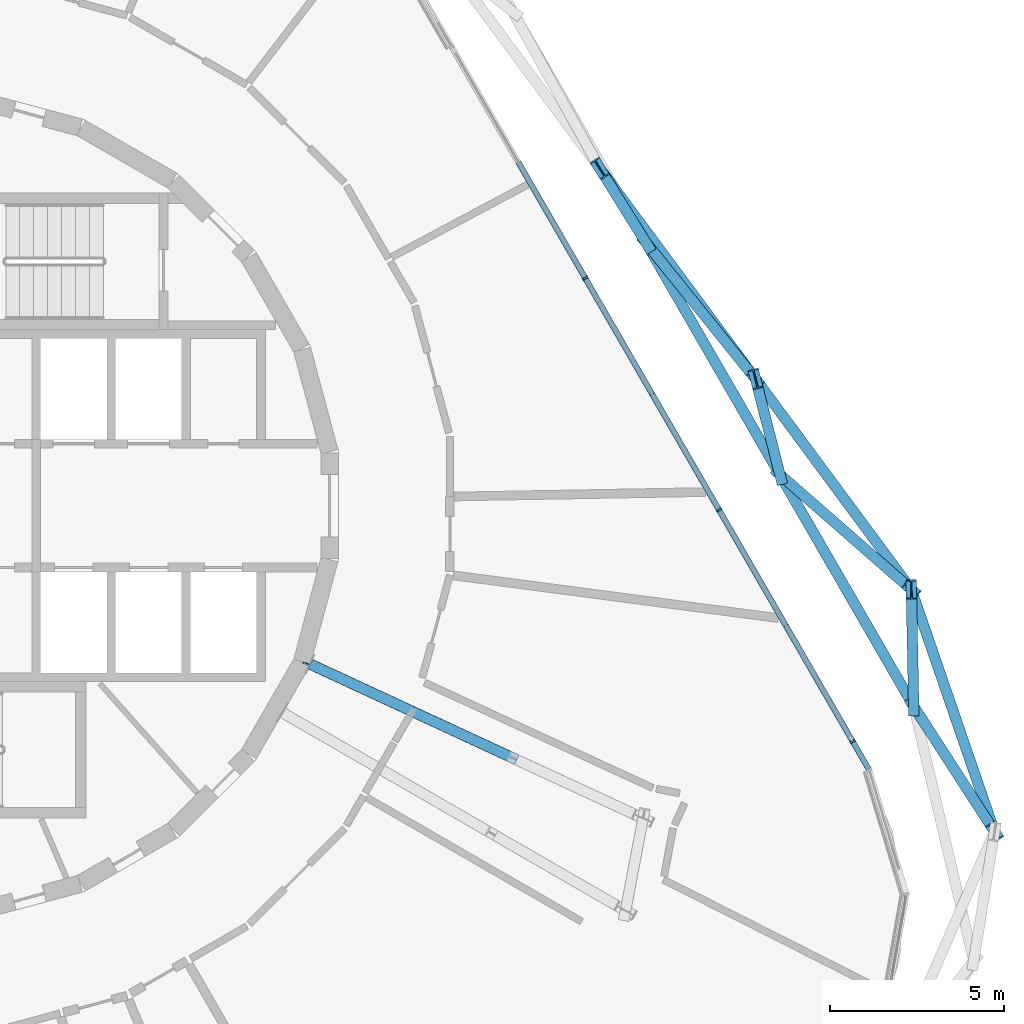
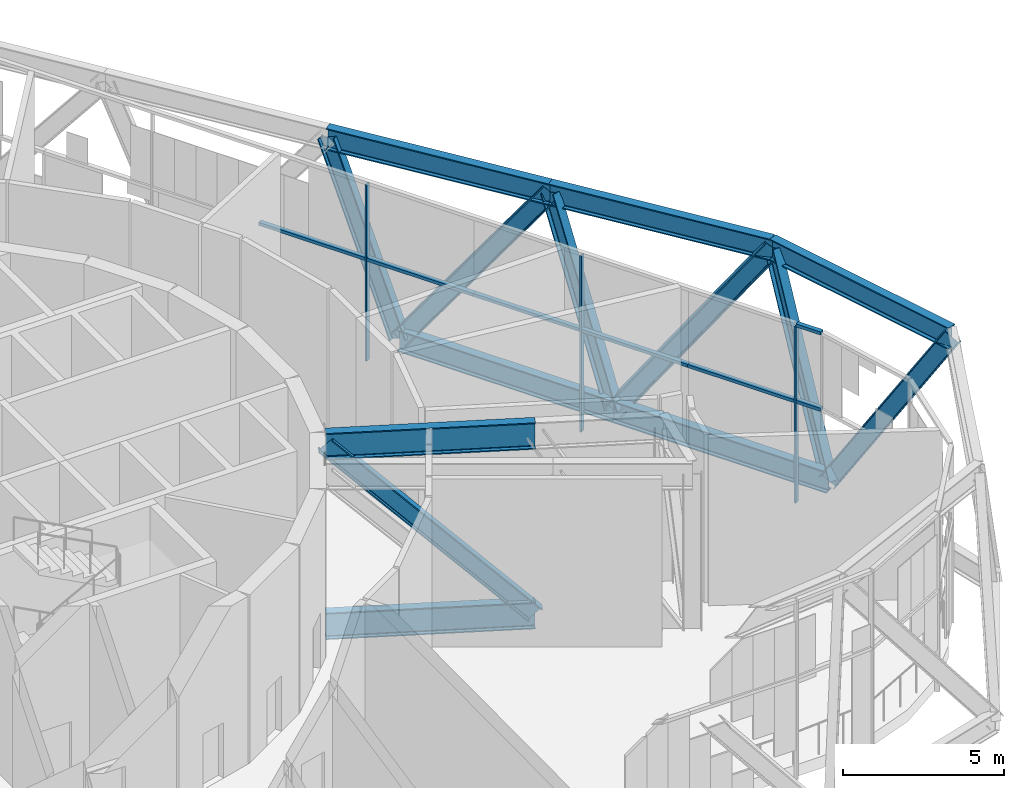
# One storey, part 6 of 29: 24 members, 2 elements without a shape of their own.
"""IFC4 building model written with IfcOpenShell, lengths in metres."""

from ifc_helpers import new_model, si_unit, direction, frame, origin, origin_2d, place, context, subcontext, project, spatial, rectangle, i_section, extrude, material, layer, layer_set, material_profile, profile_set, type_object, element, aggregate, save


model = new_model("IFC4")

# Units and contexts
model_context = context("Model", 3, precision=1e-05, world=origin(), true_north=direction((0.0, 1.0)))
body_context = subcontext(model_context, "Body", "Model", "MODEL_VIEW")
ifc_project = project(units=[si_unit("LENGTHUNIT", "METRE"), si_unit("AREAUNIT", "SQUARE_METRE"), si_unit("VOLUMEUNIT", "CUBIC_METRE"), si_unit("PLANEANGLEUNIT", "RADIAN"), si_unit("MASSUNIT", "GRAM", prefix="KILO")], contexts=[model_context])

# Site, building, storey
site_placement = place(None, origin())
site = spatial("IfcSite", under=ifc_project, at=site_placement, CompositionType="ELEMENT")
building_placement = place(site_placement, origin())
building = spatial("IfcBuilding", under=site, at=building_placement, Name="Spindle Arch Residences", CompositionType="ELEMENT")
storey_placement = place(building_placement, frame((0.0, 0.0, 69.89990234375)))
storey = spatial("IfcBuildingStorey", under=building, at=storey_placement, Name="L16", CompositionType="ELEMENT", Elevation=69.89990234375)

# Members
ifc_material_1 = material(Name="Steel S460ML, intumescent coating R 240", Category="steel")
ifc_material_profile_1 = material_profile(ifc_material_1, i_section(OverallWidth=0.302978515625, OverallDepth=0.81396484375, WebThickness=0.02099609375, FlangeThickness=0.0400390625, FilletRadius=0.030029296875, at=origin_2d()), Name="HEM 800")
ifc_profile_set_1 = profile_set([ifc_material_profile_1], Name="Steel S460ML, intumescent coating R 240")
member_type_1 = type_object("IfcMemberType", Name="Belt truss chord HEM 800", PredefinedType="CHORD", material=ifc_profile_set_1)
member_1_placement = place(storey_placement, frame((28.418701171875, -5.762939453125, -0.85693359375), z_axis=(-0.500005879718, 0.866022009101, 0.0), x_axis=(-0.866022009101, -0.500005879718, 0.0)))
element("IfcMember", 1, at=member_1_placement, inside=storey, type_object=member_type_1, Name="Belt truss bottom chord L16.6", PredefinedType="CHORD", context=body_context, shape_type="SweptSolid", body=[
    extrude(i_section(OverallWidth=0.302978515625, OverallDepth=0.81396484375, WebThickness=0.02099609375, FlangeThickness=0.0400390625, FilletRadius=0.030029296875, at=origin_2d()), origin(), (0.0, 0.0, 1.0), 7.68017578125),
])
member_2_placement = place(storey_placement, frame((24.57861328125, 0.88818359375, -0.85693359375), z_axis=(-0.499982037744, 0.86603577405, 0.0), x_axis=(-0.86603577405, -0.499982037744, 0.0)))
element("IfcMember", 2, at=member_2_placement, inside=storey, type_object=member_type_1, Name="Belt truss bottom chord L16.7", PredefinedType="CHORD", context=body_context, shape_type="SweptSolid", body=[
    extrude(i_section(OverallWidth=0.302978515625, OverallDepth=0.81396484375, WebThickness=0.02099609375, FlangeThickness=0.0400390625, FilletRadius=0.030029296875, at=origin_2d()), origin(), (0.0, 0.0, 1.0), 7.679931640625),
])
member_3_placement = place(storey_placement, frame((30.740478515625, -9.36083984375, 5.943115234375), z_axis=(-0.325137291087, 0.945666823963, 0.0), x_axis=(-0.945666823963, -0.325137291087, 0.0)))
element("IfcMember", 3, at=member_3_placement, inside=storey, type_object=member_type_1, Name="Belt truss top chord L16.5", PredefinedType="CHORD", context=body_context, shape_type="SweptSolid", body=[
    extrude(i_section(OverallWidth=0.302978515625, OverallDepth=0.81396484375, WebThickness=0.02099609375, FlangeThickness=0.0400390625, FilletRadius=0.030029296875, at=origin_2d()), origin(), (0.0, 0.0, 1.0), 7.354248046875),
])
member_4_placement = place(storey_placement, frame((28.349365234375, -2.40625, 5.943115234375), z_axis=(-0.594818247684, 0.80386021933, 0.0), x_axis=(-0.80386021933, -0.594818247684, 0.0)))
element("IfcMember", 4, at=member_4_placement, inside=storey, type_object=member_type_1, Name="Belt truss top chord L16.6", PredefinedType="CHORD", context=body_context, shape_type="SweptSolid", body=[
    extrude(i_section(OverallWidth=0.302978515625, OverallDepth=0.81396484375, WebThickness=0.02099609375, FlangeThickness=0.0400390625, FilletRadius=0.030029296875, at=origin_2d()), origin(), (0.0, 0.0, 1.0), 7.51904296875),
])
member_5_placement = place(storey_placement, frame((23.876953125, 3.637939453125, 5.943115234375), z_axis=(-0.594833773541, 0.803848730704, 0.0), x_axis=(-0.803848730704, -0.594833773541, 0.0)))
element("IfcMember", 5, at=member_5_placement, inside=storey, type_object=member_type_1, Name="Belt truss top chord L16.7", PredefinedType="CHORD", context=body_context, shape_type="SweptSolid", body=[
    extrude(i_section(OverallWidth=0.302978515625, OverallDepth=0.81396484375, WebThickness=0.02099609375, FlangeThickness=0.0400390625, FilletRadius=0.030029296875, at=origin_2d()), origin(), (0.0, 0.0, 1.0), 7.518798828125),
])
ifc_material_2 = material(Name="Steel S460ML, intumescent coating R 240", Category="steel")
ifc_material_profile_2 = material_profile(ifc_material_2, i_section(OverallWidth=0.304931640625, OverallDepth=0.6201171875, WebThickness=0.02099609375, FlangeThickness=0.0400390625, FilletRadius=0.027099609375, at=origin_2d()), Name="HEM 600")
ifc_profile_set_2 = profile_set([ifc_material_profile_2], Name="Steel S460ML, intumescent coating R 240")
member_type_2 = type_object("IfcMemberType", Name="Belt truss diagonal HEM 600", PredefinedType="BRACE", material=ifc_profile_set_2)
member_6_placement = place(storey_placement, frame((28.418701171875, -5.762939453125, -0.85693359375), z_axis=(0.288924467742, -0.447726591074, 0.846205383808), x_axis=(0.840237993965, 0.542217773129, 0.0)))
element("IfcMember", 6, at=member_6_placement, inside=storey, type_object=member_type_2, Name="Belt truss diagonal L16.5.6", PredefinedType="BRACE", context=body_context, shape_type="SweptSolid", body=[
    extrude(i_section(OverallWidth=0.304931640625, OverallDepth=0.6201171875, WebThickness=0.02099609375, FlangeThickness=0.0400390625, FilletRadius=0.027099609375, at=origin_2d()), origin(), (0.0, 0.0, 1.0), 8.035888671875),
])
member_7_placement = place(storey_placement, frame((28.418701171875, -5.762939453125, -0.85693359375), z_axis=(-0.009142732258, 0.442617696508, 0.896663808339), x_axis=(-0.999786732091, -0.02065164244, 0.0)))
element("IfcMember", 7, at=member_7_placement, inside=storey, type_object=member_type_2, Name="Belt truss diagonal L16.6.6", PredefinedType="BRACE", context=body_context, shape_type="SweptSolid", body=[
    extrude(i_section(OverallWidth=0.304931640625, OverallDepth=0.6201171875, WebThickness=0.02099609375, FlangeThickness=0.0400390625, FilletRadius=0.027099609375, at=origin_2d()), origin(), (0.0, 0.0, 1.0), 7.583740234375),
])
member_8_placement = place(storey_placement, frame((24.57861328125, 0.88818359375, -0.85693359375), z_axis=(0.446524251751, -0.390119666761, 0.805247004468), x_axis=(0.657941764013, 0.753068811708, 0.0)))
element("IfcMember", 8, at=member_8_placement, inside=storey, type_object=member_type_2, Name="Belt truss diagonal L16.6.7", PredefinedType="BRACE", context=body_context, shape_type="SweptSolid", body=[
    extrude(i_section(OverallWidth=0.304931640625, OverallDepth=0.6201171875, WebThickness=0.02099609375, FlangeThickness=0.0400390625, FilletRadius=0.027099609375, at=origin_2d()), origin(), (0.0, 0.0, 1.0), 8.444580078125),
])
member_9_placement = place(storey_placement, frame((24.57861328125, 0.88818359375, -0.85693359375), z_axis=(-0.095224851334, 0.373179366936, 0.92285935428), x_axis=(-0.968951923092, -0.247249207757, 0.0)))
element("IfcMember", 9, at=member_9_placement, inside=storey, type_object=member_type_2, Name="Belt truss diagonal L16.7.7", PredefinedType="BRACE", context=body_context, shape_type="SweptSolid", body=[
    extrude(i_section(OverallWidth=0.304931640625, OverallDepth=0.6201171875, WebThickness=0.02099609375, FlangeThickness=0.0400390625, FilletRadius=0.027099609375, at=origin_2d()), origin(), (0.0, 0.0, 1.0), 7.368408203125),
])
member_10_placement = place(storey_placement, frame((20.73876953125, 7.539306640625, -0.85693359375), z_axis=(0.371624700295, -0.462001144446, 0.805263947201), x_axis=(0.779201025545, 0.626774091511, 0.0)))
element("IfcMember", 10, at=member_10_placement, inside=storey, type_object=member_type_2, Name="Belt truss diagonal L16.7.8", PredefinedType="BRACE", context=body_context, shape_type="SweptSolid", body=[
    extrude(i_section(OverallWidth=0.304931640625, OverallDepth=0.6201171875, WebThickness=0.02099609375, FlangeThickness=0.0400390625, FilletRadius=0.027099609375, at=origin_2d()), origin(), (0.0, 0.0, 1.0), 8.444580078125),
])
member_11_placement = place(storey_placement, frame((20.73876953125, 7.539306640625, -0.85693359375), z_axis=(-0.18394585108, 0.295390446309, 0.937501150986), x_axis=(-0.848866609371, -0.528607112604, 0.0)))
element("IfcMember", 11, at=member_11_placement, inside=storey, type_object=member_type_2, Name="Belt truss diagonal L16.8.8", PredefinedType="BRACE", context=body_context, shape_type="SweptSolid", body=[
    extrude(i_section(OverallWidth=0.304931640625, OverallDepth=0.6201171875, WebThickness=0.02099609375, FlangeThickness=0.0400390625, FilletRadius=0.027099609375, at=origin_2d()), origin(), (0.0, 0.0, 1.0), 7.25341796875),
])

# Curtain wall, members
ifc_material_3 = material(Name="Aluminium bronze unitised frame with tinted glass", Category="aluminium")
ifc_layer = layer(ifc_material_3, 0.159912109375)
ifc_layer_set = layer_set([ifc_layer], Name="CW-E double-height winter garden wall")
curtain_wall_type = type_object("IfcCurtainWallType", Name="CW-E double-height winter garden wall", PredefinedType="NOTDEFINED", material=ifc_layer_set)
curtain_wall_1_placement = place(storey_placement, origin())
curtain_wall_1 = element("IfcCurtainWall", 12, at=curtain_wall_1_placement, inside=storey, type_object=curtain_wall_type, Name="CW-E L16 run 2", PredefinedType="NOTDEFINED")
ifc_material_4 = material(Name="Aluminium bronze anodised mullion", Category="aluminium")
ifc_material_profile_3 = material_profile(ifc_material_4, rectangle(XDim=0.159912109375, YDim=0.06005859375, at=origin_2d()), Name="MU 60x160")
ifc_profile_set_3 = profile_set([ifc_material_profile_3], Name="Aluminium bronze anodised mullion")
member_type_3 = type_object("IfcMemberType", Name="Bronze mullion 60x160", PredefinedType="MULLION", material=ifc_profile_set_3)
member_12_placement = place(storey_placement, frame((26.66943359375, -6.77294921875, -0.449951171875), z_axis=(0.0, 0.0, 1.0), x_axis=(-0.866025403784, -0.5, 0.0)))
member_12 = element("IfcMember", 13, at=member_12_placement, type_object=member_type_3, Name="CW-E mullion 05", PredefinedType="MULLION", context=body_context, shape_type="SweptSolid", body=[
    extrude(rectangle(XDim=0.159912109375, YDim=0.06005859375, at=origin_2d()), origin(), (0.0, 0.0, 1.0), 6.679931640625),
])
member_13_placement = place(storey_placement, frame((22.829345703125, -0.121826171875, -0.449951171875), z_axis=(0.0, 0.0, 1.0), x_axis=(-0.866025403784, -0.5, 0.0)))
member_13 = element("IfcMember", 14, at=member_13_placement, type_object=member_type_3, Name="CW-E mullion 06", PredefinedType="MULLION", context=body_context, shape_type="SweptSolid", body=[
    extrude(rectangle(XDim=0.159912109375, YDim=0.06005859375, at=origin_2d()), origin(), (0.0, 0.0, 1.0), 6.679931640625),
])
member_14_placement = place(storey_placement, frame((18.9892578125, 6.529296875, -0.449951171875), z_axis=(0.0, 0.0, 1.0), x_axis=(-0.866025403784, -0.5, 0.0)))
member_14 = element("IfcMember", 15, at=member_14_placement, type_object=member_type_3, Name="CW-E mullion 07", PredefinedType="MULLION", context=body_context, shape_type="SweptSolid", body=[
    extrude(rectangle(XDim=0.159912109375, YDim=0.06005859375, at=origin_2d()), origin(), (0.0, 0.0, 1.0), 6.679931640625),
])

curtain_wall_2_placement = place(storey_placement, origin())
curtain_wall_2 = element("IfcCurtainWall", 16, at=curtain_wall_2_placement, inside=storey, type_object=curtain_wall_type, Name="CW-E L16 run 1", PredefinedType="NOTDEFINED")
ifc_material_5 = material(Name="Aluminium bronze anodised transom", Category="aluminium")
ifc_material_profile_4 = material_profile(ifc_material_5, rectangle(XDim=0.159912109375, YDim=0.1201171875, at=origin_2d()), Name="TR 120x160")
ifc_profile_set_4 = profile_set([ifc_material_profile_4], Name="Aluminium bronze anodised transom")
member_type_4 = type_object("IfcMemberType", Name="Bronze transom 120x160", PredefinedType="USERDEFINED", material=ifc_profile_set_4)
member_15_placement = place(storey_placement, frame((27.1259765625, -7.56396484375, 6.2900390625), z_axis=(-0.499913830031, 0.866075148324, 0.0), x_axis=(-0.866075148324, -0.499913830031, 0.0)))
member_15 = element("IfcMember", 17, at=member_15_placement, type_object=member_type_4, Name="CW-E transom 05", ObjectType="TRANSOM", PredefinedType="USERDEFINED", context=body_context, shape_type="SweptSolid", body=[
    extrude(rectangle(XDim=0.159912109375, YDim=0.1201171875, at=origin_2d()), origin(), (0.0, 0.0, 1.0), 0.883544921875),
])
member_16_placement = place(storey_placement, frame((27.1259765625, -7.56396484375, 3.400146484375), z_axis=(-0.499913830031, 0.866075148324, 0.0), x_axis=(-0.866075148324, -0.499913830031, 0.0)))
member_16 = element("IfcMember", 18, at=member_16_placement, type_object=member_type_4, Name="CW-E transom 05m", ObjectType="TRANSOM", PredefinedType="USERDEFINED", context=body_context, shape_type="SweptSolid", body=[
    extrude(rectangle(XDim=0.159912109375, YDim=0.1201171875, at=origin_2d()), origin(), (0.0, 0.0, 1.0), 0.883544921875),
])
aggregate(curtain_wall_2, [member_15, member_16])

# Member
member_17_placement = place(storey_placement, frame((26.654296875, -6.746826171875, 3.400146484375), z_axis=(-0.500005339912, 0.866022320763, 0.0), x_axis=(-0.866022320763, -0.500005339912, 0.0)))
member_17 = element("IfcMember", 19, at=member_17_placement, type_object=member_type_4, Name="CW-E transom 05Am", ObjectType="TRANSOM", PredefinedType="USERDEFINED", context=body_context, shape_type="SweptSolid", body=[
    extrude(rectangle(XDim=0.159912109375, YDim=0.1201171875, at=origin_2d()), origin(), (0.0, 0.0, 1.0), 3.81005859375),
])

member_18_placement = place(storey_placement, frame((24.749267578125, -3.447265625, 3.400146484375), z_axis=(-0.500005339912, 0.866022320763, 0.0), x_axis=(-0.866022320763, -0.500005339912, 0.0)))
member_18 = element("IfcMember", 20, at=member_18_placement, type_object=member_type_4, Name="CW-E transom 05Bm", ObjectType="TRANSOM", PredefinedType="USERDEFINED", context=body_context, shape_type="SweptSolid", body=[
    extrude(rectangle(XDim=0.159912109375, YDim=0.1201171875, at=origin_2d()), origin(), (0.0, 0.0, 1.0), 3.81005859375),
])

member_19_placement = place(storey_placement, frame((22.814453125, -0.095703125, 3.400146484375), z_axis=(-0.500005339912, 0.866022320763, 0.0), x_axis=(-0.866022320763, -0.500005339912, 0.0)))
member_19 = element("IfcMember", 21, at=member_19_placement, type_object=member_type_4, Name="CW-E transom 06Am", ObjectType="TRANSOM", PredefinedType="USERDEFINED", context=body_context, shape_type="SweptSolid", body=[
    extrude(rectangle(XDim=0.159912109375, YDim=0.1201171875, at=origin_2d()), origin(), (0.0, 0.0, 1.0), 3.81005859375),
])

member_20_placement = place(storey_placement, frame((20.909423828125, 3.203857421875, 3.400146484375), z_axis=(-0.500005339912, 0.866022320763, 0.0), x_axis=(-0.866022320763, -0.500005339912, 0.0)))
member_20 = element("IfcMember", 22, at=member_20_placement, type_object=member_type_4, Name="CW-E transom 06Bm", ObjectType="TRANSOM", PredefinedType="USERDEFINED", context=body_context, shape_type="SweptSolid", body=[
    extrude(rectangle(XDim=0.159912109375, YDim=0.1201171875, at=origin_2d()), origin(), (0.0, 0.0, 1.0), 3.81005859375),
])

member_21_placement = place(storey_placement, frame((18.974365234375, 6.555419921875, 3.400146484375), z_axis=(-0.500005339912, 0.866022320763, 0.0), x_axis=(-0.866022320763, -0.500005339912, 0.0)))
member_21 = element("IfcMember", 23, at=member_21_placement, type_object=member_type_4, Name="CW-E transom 07Am", ObjectType="TRANSOM", PredefinedType="USERDEFINED", context=body_context, shape_type="SweptSolid", body=[
    extrude(rectangle(XDim=0.159912109375, YDim=0.1201171875, at=origin_2d()), origin(), (0.0, 0.0, 1.0), 3.81005859375),
])

aggregate(curtain_wall_1, [member_12, member_17, member_18, member_13, member_19, member_20, member_14, member_21])

# Members
ifc_material_6 = material(Name="Steel S460ML, intumescent coating R 240", Category="steel")
ifc_material_profile_5 = material_profile(ifc_material_6, i_section(OverallWidth=0.302001953125, OverallDepth=1.008056640625, WebThickness=0.02099609375, FlangeThickness=0.0400390625, FilletRadius=0.030029296875, at=origin_2d()), Name="HEM 1000")
ifc_profile_set_5 = profile_set([ifc_material_profile_5], Name="Steel S460ML, intumescent coating R 240")
member_type_5 = type_object("IfcMemberType", Name="Transfer truss chord HEM 1000", PredefinedType="CHORD", material=ifc_profile_set_5)
for number, where, z_axis, x_axis, name in (
    (24, (11.0966796875, -4.55419921875, -0.953857421875), (0.907397958105, -0.420272465939, 0.0), (0.420272465939, 0.907397958105, 0.0), "Transfer truss chord L16"),
    (25, (11.0966796875, -4.55419921875, 5.84619140625), (0.907397958105, -0.420272465939, 0.0), (0.420272465939, 0.907397958105, 0.0), "Transfer truss chord L16"),
):
    element("IfcMember", number, at=place(storey_placement, frame(where, z_axis=z_axis, x_axis=x_axis)), inside=storey, type_object=member_type_5, Name=name, PredefinedType="CHORD", context=body_context, shape_type="SweptSolid", body=[
        extrude(i_section(OverallWidth=0.302001953125, OverallDepth=1.008056640625, WebThickness=0.02099609375, FlangeThickness=0.0400390625, FilletRadius=0.030029296875, at=origin_2d()), origin(), (0.0, 0.0, 1.0), 6.52587890625),
    ])
ifc_material_7 = material(Name="Steel S460ML, intumescent coating R 240", Category="steel")
ifc_material_profile_6 = material_profile(ifc_material_7, i_section(OverallWidth=0.304931640625, OverallDepth=0.6201171875, WebThickness=0.02099609375, FlangeThickness=0.0400390625, FilletRadius=0.027099609375, at=origin_2d()), Name="HEM 600")
ifc_profile_set_6 = profile_set([ifc_material_profile_6], Name="Steel S460ML, intumescent coating R 240")
member_type_6 = type_object("IfcMemberType", Name="Transfer truss diagonal HEM 600", PredefinedType="BRACE", material=ifc_profile_set_6)
member_22_placement = place(storey_placement, frame((17.018310546875, -7.296875, -0.953857421875), z_axis=(-0.628296743188, 0.291003323561, 0.721498626593), x_axis=(-0.420272465939, -0.907397958105, 0.0)))
element("IfcMember", 26, at=member_22_placement, inside=storey, type_object=member_type_6, Name="Transfer truss diagonal L16", PredefinedType="BRACE", context=body_context, shape_type="SweptSolid", body=[
    extrude(i_section(OverallWidth=0.304931640625, OverallDepth=0.6201171875, WebThickness=0.02099609375, FlangeThickness=0.0400390625, FilletRadius=0.027099609375, at=origin_2d()), origin(), (0.0, 0.0, 1.0), 9.4248046875),
])

save(model, "model.ifc")
